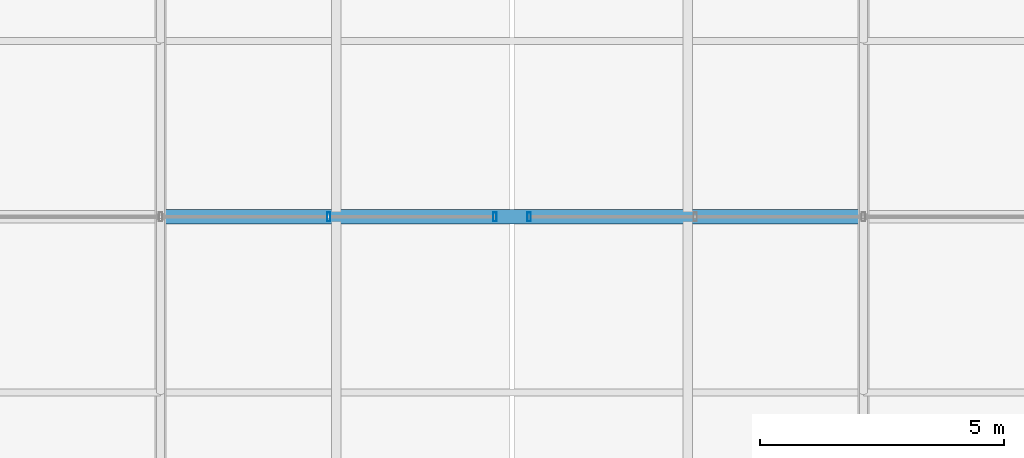
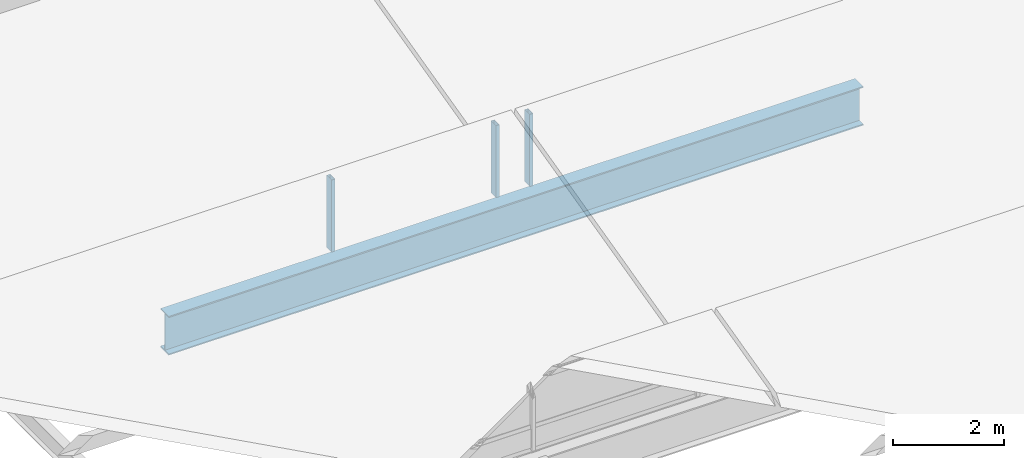
# One storey, part 79 of 144: 3 members, 1 beam, 2 elements without a shape of their own.
"""IFC4 building model written with IfcOpenShell, lengths in metres."""

from ifc_helpers import new_model, si_unit, direction, frame, origin, origin_2d, place, context, subcontext, project, spatial, hollow_rectangle, i_section, extrude, material, material_profile, profile_set, type_object, element, aggregate, save


model = new_model("IFC4")

# Units and contexts
model_context = context("Model", 3, precision=1e-05, world=origin(), true_north=direction((0.0, 1.0)))
body_context = subcontext(model_context, "Body", "Model", "MODEL_VIEW")
ifc_project = project(units=[si_unit("LENGTHUNIT", "METRE"), si_unit("AREAUNIT", "SQUARE_METRE"), si_unit("VOLUMEUNIT", "CUBIC_METRE"), si_unit("PLANEANGLEUNIT", "RADIAN"), si_unit("MASSUNIT", "GRAM", prefix="KILO")], contexts=[model_context])

# Site, building, storey
site_placement = place(None, origin())
site = spatial("IfcSite", under=ifc_project, at=site_placement, CompositionType="ELEMENT")
building_placement = place(site_placement, origin())
building = spatial("IfcBuilding", under=site, at=building_placement, Name="Yarey Park Central Fire Station", CompositionType="ELEMENT")
storey_placement = place(building_placement, frame((0.0, 0.0, 10.199951171875)))
storey = spatial("IfcBuildingStorey", under=building, at=storey_placement, Name="L03", CompositionType="ELEMENT", Elevation=10.199951171875)

# Curtain wall, members
ifc_material_1 = material(Name="Anodized Aluminium Frame", Category="aluminium")
curtain_wall_type = type_object("IfcCurtainWallType", Name="ENV_CW_SAW_18", PredefinedType="NOTDEFINED", material=ifc_material_1)
curtain_wall_1_placement = place(storey_placement, origin())
curtain_wall_1 = element("IfcCurtainWall", 1, at=curtain_wall_1_placement, inside=storey, type_object=curtain_wall_type, Name="CW_L03_SAW_6_1", PredefinedType="NOTDEFINED")
ifc_material_profile_1 = material_profile(ifc_material_1, hollow_rectangle(XDim=0.070068359375, YDim=0.179931640625, WallThickness=0.00390625, at=origin_2d()), Name="ALU 180x70x4")
ifc_profile_set_1 = profile_set([ifc_material_profile_1], Name="Anodized Aluminium Frame")
member_type = type_object("IfcMemberType", Name="ENV_CW_MULLION", PredefinedType="MULLION", material=ifc_profile_set_1)
member_1_placement = place(storey_placement, frame((150.85009765625, 86.39990234375, 0.0), z_axis=(0.0, 0.0, 1.0), x_axis=(1.0, 0.0, 0.0)))
member_1 = element("IfcMember", 2, at=member_1_placement, type_object=member_type, Name="CW_L03_SAW_6_1_MUL1", PredefinedType="MULLION", context=body_context, shape_type="SweptSolid", body=[
    extrude(hollow_rectangle(XDim=0.070068359375, YDim=0.179931640625, WallThickness=0.00390625, at=origin_2d()), origin(), (0.0, 0.0, 1.0), 1.580078125),
])
member_2_placement = place(storey_placement, frame((147.445068359375, 86.39990234375, 0.0), z_axis=(0.0, 0.0, 1.0), x_axis=(1.0, 0.0, 0.0)))
member_2 = element("IfcMember", 3, at=member_2_placement, type_object=member_type, Name="CW_L03_SAW_6_1_MUL2", PredefinedType="MULLION", context=body_context, shape_type="SweptSolid", body=[
    extrude(hollow_rectangle(XDim=0.070068359375, YDim=0.179931640625, WallThickness=0.00390625, at=origin_2d()), origin(), (0.0, 0.0, 1.0), 1.580078125),
])
aggregate(curtain_wall_1, [member_1, member_2])

# Curtain wall, member
curtain_wall_2_placement = place(storey_placement, origin())
curtain_wall_2 = element("IfcCurtainWall", 4, at=curtain_wall_2_placement, inside=storey, type_object=curtain_wall_type, Name="CW_L03_SAW_6_2", PredefinedType="NOTDEFINED")
member_3_placement = place(storey_placement, frame((151.550048828125, 86.39990234375, 0.0), z_axis=(0.0, 0.0, 1.0), x_axis=(1.0, 0.0, 0.0)))
member_3 = element("IfcMember", 5, at=member_3_placement, type_object=member_type, Name="CW_L03_SAW_6_2_MUL5", PredefinedType="MULLION", context=body_context, shape_type="SweptSolid", body=[
    extrude(hollow_rectangle(XDim=0.070068359375, YDim=0.179931640625, WallThickness=0.00390625, at=origin_2d()), origin(), (0.0, 0.0, 1.0), 1.580078125),
])
aggregate(curtain_wall_2, [member_3])

# Beam
ifc_material_2 = material(Name="Steel ASTM A992 Gr. 50", Category="steel")
ifc_material_profile_2 = material_profile(ifc_material_2, i_section(OverallWidth=0.2939453125, OverallDepth=0.85107421875, WebThickness=0.01611328125, FlangeThickness=0.02685546875, at=origin_2d()), Name="W840x226")
ifc_profile_set_2 = profile_set([ifc_material_profile_2], Name="Steel ASTM A992 Gr. 50")
beam_type = type_object("IfcBeamType", Name="STR_BM_W840", PredefinedType="BEAM", material=ifc_profile_set_2)
beam_placement = place(storey_placement, frame((144.0, 86.39990234375, -0.60546875), z_axis=(1.0, 0.0, 0.0), x_axis=(0.0, 1.0, 0.0)))
element("IfcBeam", 6, at=beam_placement, inside=storey, type_object=beam_type, Name="BMX L03 Y864 X1440", PredefinedType="BEAM", context=body_context, shape_type="SweptSolid", body=[
    extrude(i_section(OverallWidth=0.2939453125, OverallDepth=0.85107421875, WebThickness=0.01611328125, FlangeThickness=0.02685546875, at=origin_2d()), origin(), (0.0, 0.0, 1.0), 14.39990234375),
])

save(model, "model.ifc")
